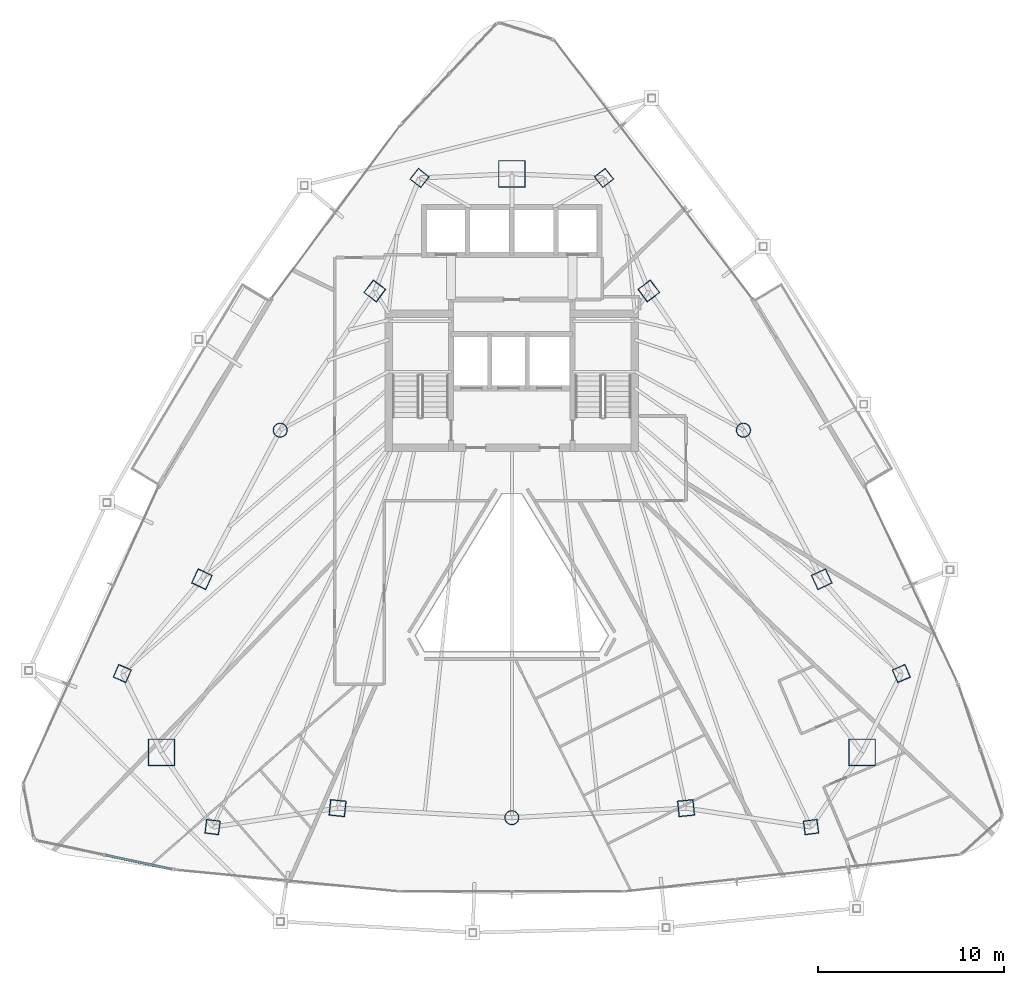
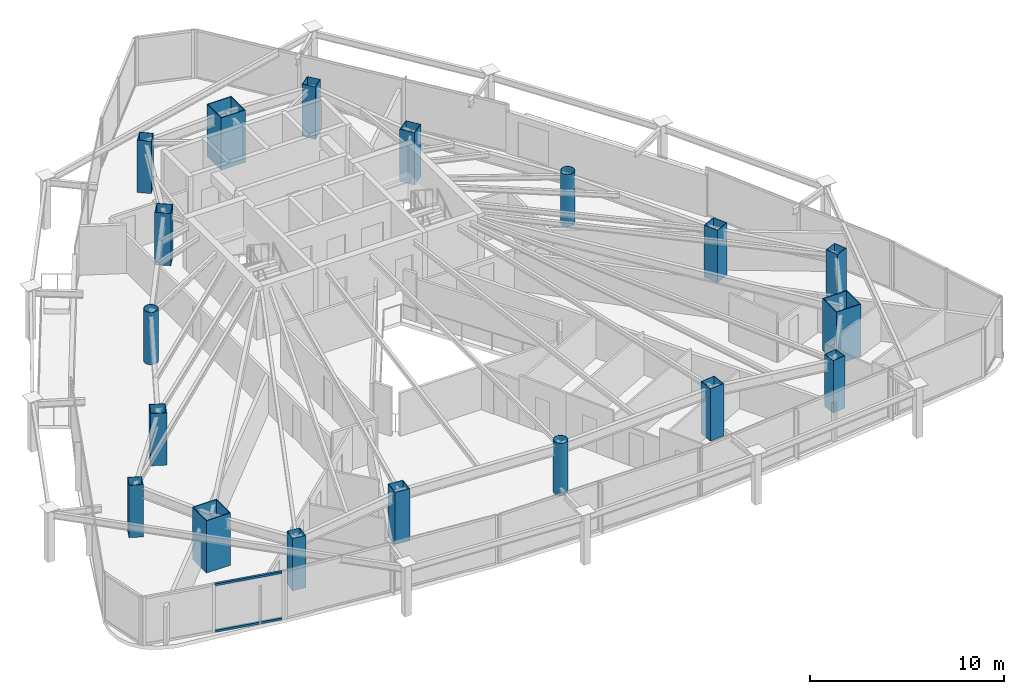
# One storey, part 1 of 31: 18 columns, 2 members, 1 element without a shape of its own.
"""IFC4 building model written with IfcOpenShell, lengths in metres."""

from ifc_helpers import new_model, si_unit, direction, frame, origin, origin_2d, place, context, subcontext, project, spatial, hollow_rectangle, hollow_circle, extrude, material, layer, layer_set, material_profile, profile_set, type_object, element, aggregate, save


model = new_model("IFC4")

# Units and contexts
model_context = context("Model", 3, precision=1e-05, world=origin(), true_north=direction((0.0, 1.0)))
body_context = subcontext(model_context, "Body", "Model", "MODEL_VIEW")
ifc_project = project(units=[si_unit("LENGTHUNIT", "METRE"), si_unit("AREAUNIT", "SQUARE_METRE"), si_unit("VOLUMEUNIT", "CUBIC_METRE"), si_unit("PLANEANGLEUNIT", "RADIAN"), si_unit("MASSUNIT", "GRAM", prefix="KILO")], contexts=[model_context])

# Site, building, storey
site_placement = place(None, origin())
site = spatial("IfcSite", under=ifc_project, at=site_placement, CompositionType="ELEMENT")
building_placement = place(site_placement, origin())
building = spatial("IfcBuilding", under=site, at=building_placement, Name="Orvanel Arch Residences", CompositionType="ELEMENT")
storey_placement = place(building_placement, frame((0.0, 0.0, 113.300048828125)))
storey = spatial("IfcBuildingStorey", under=building, at=storey_placement, Name="L31", CompositionType="ELEMENT", Elevation=113.300048828125)

# Columns
ifc_material_1 = material(Name="Structural steel AS/NZS 1163 C450L0 (Grade 450)", Category="steel")
ifc_material_profile_1 = material_profile(ifc_material_1, hollow_circle(Radius=0.381103515625, WallThickness=0.02197265625, at=origin_2d()), Name="CHS762x22")
ifc_profile_set_1 = profile_set([ifc_material_profile_1], Name="Structural steel AS/NZS 1163 C450L0 (Grade 450)")
column_type_1 = type_object("IfcColumnType", Name="CC-762", PredefinedType="COLUMN", material=ifc_profile_set_1)
for number, where, z_axis, x_axis, name in (
    (1, (20.569091796875, 27.64111328125, 0.0), (0.0, 0.0, 1.0), (1.0, 0.0, 0.0), "L31 High-Rise Tube Column 02"),
    (2, (33.0, 6.843994140625, 0.0), (0.0, 0.0, 1.0), (1.0, 0.0, 0.0), "L31 High-Rise Tube Column 05"),
    (3, (45.430908203125, 27.64111328125, 0.0), (0.0, 0.0, 1.0), (1.0, 0.0, 0.0), "L31 High-Rise Tube Column 08"),
):
    element("IfcColumn", number, at=place(storey_placement, frame(where, z_axis=z_axis, x_axis=x_axis)), inside=storey, type_object=column_type_1, Name=name, PredefinedType="COLUMN", context=body_context, shape_type="SweptSolid", body=[
        extrude(hollow_circle(Radius=0.381103515625, WallThickness=0.02197265625, at=origin_2d()), origin(), (0.0, 0.0, 1.0), 3.300048828125),
    ])
ifc_material_2 = material(Name="Structural steel AS/NZS 3678 Grade 450", Category="steel")
ifc_material_profile_2 = material_profile(ifc_material_2, hollow_rectangle(XDim=1.449951171875, YDim=1.449951171875, WallThickness=0.044921875, at=origin_2d()), Name="BOX1450x1450x45")
ifc_profile_set_2 = profile_set([ifc_material_profile_2], Name="Structural steel AS/NZS 3678 Grade 450")
column_type_2 = type_object("IfcColumnType", Name="MC-1450", PredefinedType="COLUMN", material=ifc_profile_set_2)
for number, where, z_axis, x_axis, name in (
    (4, (33.0, 41.39794921875, 0.0), (0.0, 0.0, 1.0), (1.0, 0.0, 0.0), "L31 Corner Mega-Column 1"),
    (5, (14.198974609375, 10.35107421875, 0.0), (0.0, 0.0, 1.0), (1.0, 0.0, 0.0), "L31 Corner Mega-Column 2"),
    (6, (51.801025390625, 10.35107421875, 0.0), (0.0, 0.0, 1.0), (1.0, 0.0, 0.0), "L31 Corner Mega-Column 3"),
):
    element("IfcColumn", number, at=place(storey_placement, frame(where, z_axis=z_axis, x_axis=x_axis)), inside=storey, type_object=column_type_2, Name=name, PredefinedType="COLUMN", context=body_context, shape_type="SweptSolid", body=[
        extrude(hollow_rectangle(XDim=1.449951171875, YDim=1.449951171875, WallThickness=0.044921875, at=origin_2d()), origin(), (0.0, 0.0, 1.0), 3.300048828125),
    ])
ifc_material_3 = material(Name="Structural steel AS/NZS 3678 Grade 350", Category="steel")
ifc_material_profile_3 = material_profile(ifc_material_3, hollow_rectangle(XDim=0.75, YDim=0.75, WallThickness=0.02490234375, at=origin_2d()), Name="BOX750x750x25")
ifc_profile_set_3 = profile_set([ifc_material_profile_3], Name="Structural steel AS/NZS 3678 Grade 350")
column_type_3 = type_object("IfcColumnType", Name="TC-750", PredefinedType="COLUMN", material=ifc_profile_set_3)
for number, where, z_axis, x_axis, name in (
    (7, (28.050048828125, 41.177978515625, 0.0), (0.0, 0.0, 1.0), (0.623879596709, 0.781520472419, 0.0), "L31 Mid-Rise Buttress Tube Column 01"),
    (8, (12.094970703125, 14.580078125, 0.0), (0.0, 0.0, 1.0), (0.397147890635, 0.917754625684, 0.0), "L31 Mid-Rise Buttress Tube Column 02"),
    (9, (16.94091796875, 6.339111328125, 0.0), (0.0, 0.0, 1.0), (-0.99189444259, 0.127064608601, 0.0), "L31 Mid-Rise Buttress Tube Column 03"),
    (10, (49.05908203125, 6.339111328125, 0.0), (0.0, 0.0, 1.0), (0.99189444259, 0.127064608601, 0.0), "L31 Mid-Rise Buttress Tube Column 04"),
    (11, (53.905029296875, 14.580078125, 0.0), (0.0, 0.0, 1.0), (-0.397147890635, 0.917754625684, 0.0), "L31 Mid-Rise Buttress Tube Column 05"),
    (12, (37.949951171875, 41.177978515625, 0.0), (0.0, 0.0, 1.0), (-0.623879596709, 0.781520472419, 0.0), "L31 Mid-Rise Buttress Tube Column 06"),
):
    element("IfcColumn", number, at=place(storey_placement, frame(where, z_axis=z_axis, x_axis=x_axis)), inside=storey, type_object=column_type_3, Name=name, PredefinedType="COLUMN", context=body_context, shape_type="SweptSolid", body=[
        extrude(hollow_rectangle(XDim=0.75, YDim=0.75, WallThickness=0.02490234375, at=origin_2d()), origin(), (0.0, 0.0, 1.0), 3.300048828125),
    ])
ifc_material_profile_4 = material_profile(ifc_material_3, hollow_rectangle(XDim=0.85009765625, YDim=0.85009765625, WallThickness=0.028076171875, at=origin_2d()), Name="BOX850x850x28")
ifc_profile_set_4 = profile_set([ifc_material_profile_4], Name="Structural steel AS/NZS 3678 Grade 350")
column_type_4 = type_object("IfcColumnType", Name="TC-850", PredefinedType="COLUMN", material=ifc_profile_set_4)
for number, where, z_axis, x_axis, name in (
    (13, (25.64794921875, 35.113037109375, 0.0), (0.0, 0.0, 1.0), (0.600420225326, 0.799684658487, 0.0), "L31 High-Rise Tube Column 01"),
    (14, (16.366943359375, 19.64208984375, 0.0), (0.0, 0.0, 1.0), (0.422618261741, 0.906307787037, 0.0), "L31 High-Rise Tube Column 03"),
    (15, (23.64892578125, 7.35498046875, 0.0), (0.0, 0.0, 1.0), (-0.994880708829, 0.101056297183, 0.0), "L31 High-Rise Tube Column 04"),
    (16, (42.35107421875, 7.35498046875, 0.0), (0.0, 0.0, 1.0), (0.994880708829, 0.101056297183, 0.0), "L31 High-Rise Tube Column 06"),
    (17, (49.633056640625, 19.64208984375, 0.0), (0.0, 0.0, 1.0), (-0.422618261741, 0.906307787037, 0.0), "L31 High-Rise Tube Column 07"),
    (18, (40.35205078125, 35.113037109375, 0.0), (0.0, 0.0, 1.0), (-0.600420225326, 0.799684658487, 0.0), "L31 High-Rise Tube Column 09"),
):
    element("IfcColumn", number, at=place(storey_placement, frame(where, z_axis=z_axis, x_axis=x_axis)), inside=storey, type_object=column_type_4, Name=name, PredefinedType="COLUMN", context=body_context, shape_type="SweptSolid", body=[
        extrude(hollow_rectangle(XDim=0.85009765625, YDim=0.85009765625, WallThickness=0.028076171875, at=origin_2d()), origin(), (0.0, 0.0, 1.0), 3.300048828125),
    ])

# Curtain wall, members
ifc_material_4 = material(Name="Bronze-anodised aluminium AA6063-T6", Category="aluminium")
ifc_layer = layer(ifc_material_4, 0.18994140625)
ifc_layer_set = layer_set([ifc_layer], Name="Bronze-anodised aluminium AA6063-T6")
curtain_wall_type = type_object("IfcCurtainWallType", Name="CW5-CRN-SYS", PredefinedType="NOTDEFINED", material=ifc_layer_set)
curtain_wall_placement = place(storey_placement, origin())
curtain_wall = element("IfcCurtainWall", 19, at=curtain_wall_placement, inside=storey, type_object=curtain_wall_type, Name="L31 CW5-CRN-SYS Unitised Curtain Wall", PredefinedType="NOTDEFINED")
ifc_material_profile_5 = material_profile(ifc_material_4, hollow_rectangle(XDim=0.1298828125, YDim=0.1298828125, WallThickness=0.00439453125, at=origin_2d()), Name="ALU130x130x4.5")
ifc_profile_set_5 = profile_set([ifc_material_profile_5], Name="Bronze-anodised aluminium AA6063-T6")
member_type = type_object("IfcMemberType", Name="TRN-130x130", PredefinedType="USERDEFINED", material=ifc_profile_set_5)
member_1_placement = place(storey_placement, frame((11.219970703125, 4.830810546875, 0.06494140625), z_axis=(0.978063003679, -0.208309291282, 0.0), x_axis=(0.208309291282, 0.978063003679, 0.0)))
member_1 = element("IfcMember", 20, at=member_1_placement, type_object=member_type, Name="CW-S5 transom 2.1", ObjectType="TRANSOM", PredefinedType="USERDEFINED", context=body_context, shape_type="SweptSolid", body=[
    extrude(hollow_rectangle(XDim=0.1298828125, YDim=0.1298828125, WallThickness=0.00439453125, at=origin_2d()), origin(), (0.0, 0.0, 1.0), 3.622802734375),
])
member_2_placement = place(storey_placement, frame((11.219970703125, 4.830810546875, 2.994873046875), z_axis=(0.978063003679, -0.208309291282, 0.0), x_axis=(0.208309291282, 0.978063003679, 0.0)))
member_2 = element("IfcMember", 21, at=member_2_placement, type_object=member_type, Name="CW-S5 transom 2.2", ObjectType="TRANSOM", PredefinedType="USERDEFINED", context=body_context, shape_type="SweptSolid", body=[
    extrude(hollow_rectangle(XDim=0.1298828125, YDim=0.1298828125, WallThickness=0.00439453125, at=origin_2d()), origin(), (0.0, 0.0, 1.0), 3.622802734375),
])
aggregate(curtain_wall, [member_1, member_2])

save(model, "model.ifc")
